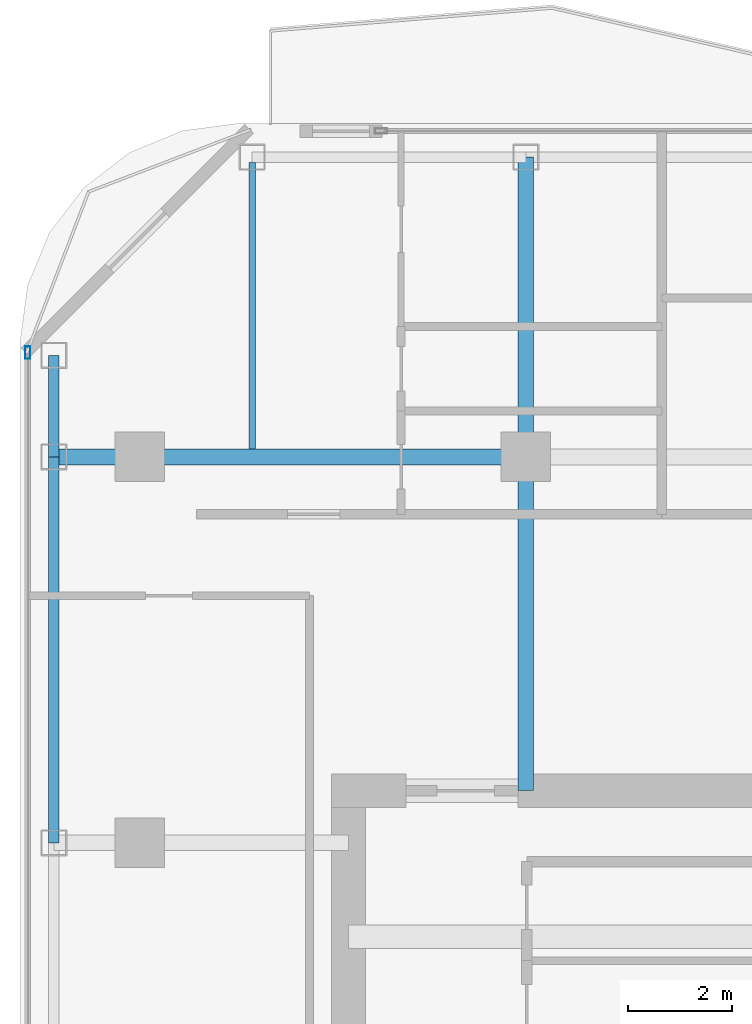
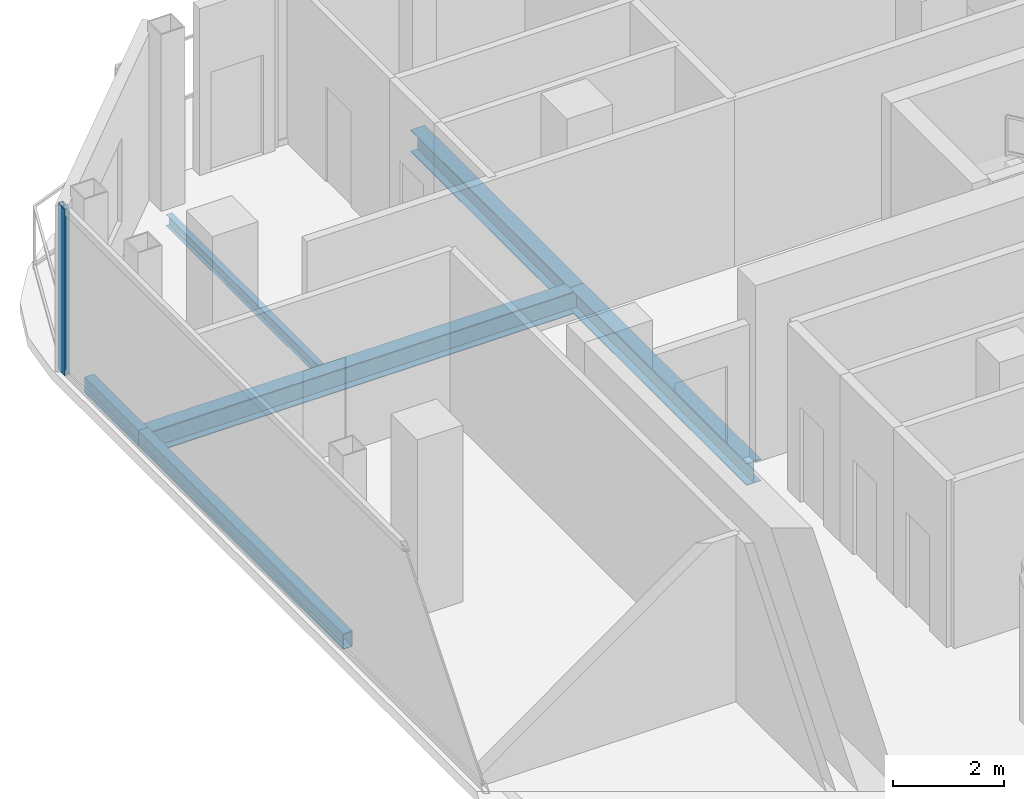
# One storey, part 10 of 23: 6 beams, 1 member, 1 element without a shape of its own.
"""IFC4 building model written with IfcOpenShell, lengths in metres."""

import ifcopenshell
import ifcopenshell.guid

model = None  # the IFC model being written
_history = None  # IfcOwnerHistory: only IFC2X3 demands one
_inside = {}  # id of a spatial element -> (the spatial element, [elements in it])
_under = {}  # id of a project, library or spatial element -> (it, [spatial elements below it])
_declared = {}  # id of a project -> (the project, [libraries it declares])
_typed = {}  # id of a type object -> (the type object, [elements of that type])
_made_of = {}  # id of a material, layer set ... -> (it, [elements and type objects made of it])


def new_model(schema):
    """Start an empty IFC model of exactly this schema.

    Asked for "IFC4X3", IfcOpenShell would pick the latest addendum, in which some entities
    have other attributes; the version numbers below select the first issue.
    IFC2X3 requires an IfcOwnerHistory on every rooted entity: one is made here for all.
    """
    global model, _history
    if schema == "IFC4X3":
        model = ifcopenshell.file(schema_version=(4, 3, 0, 0))
    else:
        model = ifcopenshell.file(schema=schema)
    _inside.clear()
    _under.clear()
    _declared.clear()
    _typed.clear()
    _made_of.clear()
    _history = None
    if model.schema == "IFC2X3":
        org = make("IfcOrganization", Name="unknown")
        user = make(
            "IfcPersonAndOrganization",
            ThePerson=make("IfcPerson", FamilyName="unknown"),
            TheOrganization=org,
        )
        app = make(
            "IfcApplication",
            ApplicationDeveloper=org,
            Version="unknown",
            ApplicationFullName="unknown",
            ApplicationIdentifier="unknown",
        )
        _history = make(
            "IfcOwnerHistory",
            OwningUser=user,
            OwningApplication=app,
            ChangeAction="ADDED",
            CreationDate=0,
        )
    return model


def make(cls, **values):
    """One entity of the class cls with the attributes given. An attribute that is None is left unset."""
    return model.create_entity(
        cls, **{name: value for name, value in values.items() if value is not None}
    )


def rooted(cls, **values):
    """An entity with a GlobalId (a new one), such as an element, a storey or a relation."""
    return make(cls, GlobalId=ifcopenshell.guid.new(), OwnerHistory=_history, **values)


def si_unit(unit_type, name, prefix=None):
    """IfcSIUnit, for example si_unit("LENGTHUNIT", "METRE", prefix="MILLI")."""
    return make("IfcSIUnit", UnitType=unit_type, Prefix=prefix, Name=name)


def assignment(units):
    """IfcUnitAssignment: the units of a project."""
    return None if units is None else make("IfcUnitAssignment", Units=units)


def point(xyz):
    """IfcCartesianPoint."""
    return None if xyz is None else make("IfcCartesianPoint", Coordinates=xyz)


def direction(xyz):
    """IfcDirection."""
    return None if xyz is None else make("IfcDirection", DirectionRatios=xyz)


def frame(location, z_axis=None, x_axis=None):
    """IfcAxis2Placement3D, a coordinate frame: its origin and axes. An axis left out is left unset."""
    return make(
        "IfcAxis2Placement3D",
        Location=point(location),
        Axis=direction(z_axis),
        RefDirection=direction(x_axis),
    )


def frame_2d(location, x_axis=None):
    """IfcAxis2Placement2D, a coordinate frame in the plane: its origin and x axis."""
    return make(
        "IfcAxis2Placement2D", Location=point(location), RefDirection=direction(x_axis)
    )


def origin():
    """The frame at (0, 0, 0) with its axes left unset."""
    return frame((0.0, 0.0, 0.0))


def origin_2d():
    """The frame at (0, 0) in the plane with its x axis left unset."""
    return frame_2d((0.0, 0.0))


def place(relative_to, where):
    """IfcLocalPlacement: puts the frame where relative to a parent placement (None: the world)."""
    return make(
        "IfcLocalPlacement", PlacementRelTo=relative_to, RelativePlacement=where
    )


def context(
    kind, dimensions, precision=None, world=None, true_north=None, identifier=None
):
    """IfcGeometricRepresentationContext, for example the 3D "Model" context."""
    return make(
        "IfcGeometricRepresentationContext",
        ContextIdentifier=identifier,
        ContextType=kind,
        CoordinateSpaceDimension=dimensions,
        Precision=precision,
        WorldCoordinateSystem=world,
        TrueNorth=true_north,
    )


def subcontext(parent, identifier, kind, view, scale=None):
    """IfcGeometricRepresentationSubContext, for example "Body" below "Model"."""
    return make(
        "IfcGeometricRepresentationSubContext",
        ContextIdentifier=identifier,
        ContextType=kind,
        ParentContext=parent,
        TargetScale=scale,
        TargetView=view,
    )


def project(units=None, contexts=None):
    """IfcProject with its units and contexts."""
    return rooted(
        "IfcProject",
        Name="project",
        RepresentationContexts=contexts,
        UnitsInContext=assignment(units),
    )


def spatial(cls, under=None, at=None, **own):
    """A site, building, storey or space (cls), placed at a placement, below another one or the project."""
    s = rooted(cls, ObjectPlacement=at, **own)
    if under is not None:
        _under.setdefault(under.id(), (under, []))[1].append(s)
    return s


def profile(cls, at=None, kind="AREA", **sizes):
    """A parametric profile (cls). Its sizes go by their IFC names, for example OverallWidth=200.0."""
    return make(cls, ProfileType=kind, Position=at, **sizes)


def hollow_rectangle(**sizes):
    """IfcRectangleHollowProfileDef."""
    return profile("IfcRectangleHollowProfileDef", **sizes)


def i_section(**sizes):
    """IfcIShapeProfileDef."""
    return profile("IfcIShapeProfileDef", **sizes)


def extrude(swept, where, along, depth):
    """IfcExtrudedAreaSolid: the profile swept, set in the frame where, extruded along a direction by depth."""
    return make(
        "IfcExtrudedAreaSolid",
        SweptArea=swept,
        Position=where,
        ExtrudedDirection=direction(along),
        Depth=depth,
    )


def shape(context_of_items, identifier, shape_type, items):
    """IfcShapeRepresentation: the items that make up one representation, for example the "Body"."""
    return make(
        "IfcShapeRepresentation",
        ContextOfItems=context_of_items,
        RepresentationIdentifier=identifier,
        RepresentationType=shape_type,
        Items=items,
    )


def material(Name=None, Category=None):
    """IfcMaterial."""
    return make("IfcMaterial", Name=Name, Category=Category)


def layer(
    of_material, thickness, ventilated=None, Name=None, Category=None, Priority=None
):
    """IfcMaterialLayer: one layer of a wall or slab, of a material (None: an air gap)."""
    return make(
        "IfcMaterialLayer",
        Material=of_material,
        LayerThickness=thickness,
        IsVentilated=ventilated,
        Name=Name,
        Category=Category,
        Priority=Priority,
    )


def layer_set(layers, Name=None):
    """IfcMaterialLayerSet."""
    return make("IfcMaterialLayerSet", MaterialLayers=layers, LayerSetName=Name)


def material_profile(
    of_material, cross_section, Name=None, Category=None, Priority=None
):
    """IfcMaterialProfile: a cross section and its material."""
    return make(
        "IfcMaterialProfile",
        Name=Name,
        Material=of_material,
        Profile=cross_section,
        Priority=Priority,
        Category=Category,
    )


def profile_set(profiles, Name=None, composite=None):
    """IfcMaterialProfileSet."""
    return make(
        "IfcMaterialProfileSet",
        Name=Name,
        MaterialProfiles=profiles,
        CompositeProfile=composite,
    )


def made_of(thing, what):
    """Note that an element or type object is made of a material, layer set ...; save() writes the relation."""
    if what is not None:
        _made_of.setdefault(what.id(), (what, []))[1].append(thing)
    return thing


def type_object(cls, material=None, **own):
    """A type object (cls), such as IfcWallType, which elements share."""
    return made_of(rooted(cls, **own), material)


def element(
    cls,
    number,
    at=None,
    inside=None,
    cuts=None,
    type_object=None,
    material=None,
    context=None,
    identifier="Body",
    shape_type=None,
    held_by="IfcProductDefinitionShape",
    body=None,
    shapes=None,
    **own,
):
    """One element of the class cls, such as IfcWall. Its Tag is "e" and its number.

    at: its placement. inside: the storey or other place that contains it. cuts: it is an
    opening in that element (IfcRelVoidsElement). A single representation is given by context,
    identifier, shape_type and body (its items); several are given by shapes. held_by: the class
    of the entity that holds the representations. save() writes the other relations.
    """
    e = rooted(cls, Tag="e%d" % number, ObjectPlacement=at, **own)
    if body is not None:
        shapes = [shape(context, identifier, shape_type, body)]
    if shapes is not None:
        e.Representation = make(held_by, Representations=shapes)
    if inside is not None:
        _inside.setdefault(inside.id(), (inside, []))[1].append(e)
    if cuts is not None:
        rooted(
            "IfcRelVoidsElement", RelatingBuildingElement=cuts, RelatedOpeningElement=e
        )
    if type_object is not None:
        _typed.setdefault(type_object.id(), (type_object, []))[1].append(e)
    return made_of(e, material)


def aggregate(whole, parts):
    """IfcRelAggregates: a whole, such as a stair, and the parts it consists of."""
    return rooted("IfcRelAggregates", RelatingObject=whole, RelatedObjects=parts)


def save(model, path):
    """Write the relations noted so far, then the file.

    IfcRelAggregates (storeys below a building ...), IfcRelContainedInSpatialStructure (elements
    in a storey), IfcRelDefinesByType, IfcRelAssociatesMaterial and IfcRelDeclares: one each for
    every whole, place, type object, material and project.
    """
    for whole, parts in _under.values():
        aggregate(whole, parts)
    for where, things in _inside.values():
        rooted(
            "IfcRelContainedInSpatialStructure",
            RelatedElements=things,
            RelatingStructure=where,
        )
    for kind, things in _typed.values():
        rooted("IfcRelDefinesByType", RelatedObjects=things, RelatingType=kind)
    for what, things in _made_of.values():
        rooted("IfcRelAssociatesMaterial", RelatedObjects=things, RelatingMaterial=what)
    for by, libraries in _declared.values():
        rooted("IfcRelDeclares", RelatingContext=by, RelatedDefinitions=libraries)
    model.write(path)


model = new_model("IFC4")

# Units and contexts
model_context = context("Model", 3, precision=1e-05, world=origin(), true_north=direction((0.0, 1.0)))
body_context = subcontext(model_context, "Body", "Model", "MODEL_VIEW")
ifc_project = project(units=[si_unit("LENGTHUNIT", "METRE"), si_unit("AREAUNIT", "SQUARE_METRE"), si_unit("VOLUMEUNIT", "CUBIC_METRE"), si_unit("PLANEANGLEUNIT", "RADIAN"), si_unit("MASSUNIT", "GRAM", prefix="KILO")], contexts=[model_context])

# Site, building, storey
site_placement = place(None, origin())
site = spatial("IfcSite", under=ifc_project, at=site_placement, CompositionType="ELEMENT")
building_placement = place(site_placement, origin())
building = spatial("IfcBuilding", under=site, at=building_placement, Name="Khorvyn Point Tower", CompositionType="ELEMENT")
storey_placement = place(building_placement, frame((0.0, 0.0, 258.60009765625)))
storey = spatial("IfcBuildingStorey", under=building, at=storey_placement, Name="L63", CompositionType="ELEMENT", Elevation=258.60009765625)

# Curtain wall, member
ifc_material_1 = material(Name="Anodised aluminium 6063-T6 and laminated Low-E glass", Category="aluminium")
ifc_layer = layer(ifc_material_1, 0.18994140625)
ifc_layer_set = layer_set([ifc_layer], Name="Stick-Built High-Wind Curtain Wall CW-SYS-04")
curtain_wall_type = type_object("IfcCurtainWallType", Name="Stick-Built High-Wind Curtain Wall CW-SYS-04", PredefinedType="NOTDEFINED", material=ifc_layer_set)
curtain_wall_placement = place(storey_placement, origin())
curtain_wall = element("IfcCurtainWall", 1, at=curtain_wall_placement, inside=storey, type_object=curtain_wall_type, Name="Curtain Wall", PredefinedType="NOTDEFINED")
ifc_material_2 = material(Name="Anodised aluminium 6063-T6", Category="aluminium")
ifc_material_profile_1 = material_profile(ifc_material_2, hollow_rectangle(XDim=0.10009765625, YDim=0.239990234375, WallThickness=0.0048828125, at=origin_2d()))
ifc_profile_set_1 = profile_set([ifc_material_profile_1], Name="Anodised aluminium 6063-T6 ALU-MUL-100x240")
member_type = type_object("IfcMemberType", Name="Anodised Aluminium 6063-T6 Mullion ALU-MUL-100x240", PredefinedType="MULLION", material=ifc_profile_set_1)
member_placement = place(storey_placement, frame((-16.949951171875, 16.800048828125, 0.0), z_axis=(0.0, 0.0, 1.0), x_axis=(-1.0, 0.0, 0.0)))
member = element("IfcMember", 2, at=member_placement, type_object=member_type, Name="Transom", PredefinedType="MULLION", context=body_context, shape_type="SweptSolid", body=[
    extrude(hollow_rectangle(XDim=0.10009765625, YDim=0.239990234375, WallThickness=0.0048828125, at=origin_2d()), origin(), (0.0, 0.0, 1.0), 3.679931640625),
])
aggregate(curtain_wall, [member])

# Beams
ifc_material_3 = material(Name="Steel S355", Category="steel")
ifc_material_profile_2 = material_profile(ifc_material_3, i_section(OverallWidth=0.125, OverallDepth=0.25, WebThickness=0.006103515625, FlangeThickness=0.009033203125, at=origin_2d()))
ifc_profile_set_2 = profile_set([ifc_material_profile_2], Name="Steel S355 H250x125x6x9")
beam_type_1 = type_object("IfcBeamType", Name="Steel S355 Joist H250x125x6x9", PredefinedType="JOIST", material=ifc_profile_set_2)
beam_1_placement = place(storey_placement, frame((-12.64990234375, 14.949951171875, -0.34521484375), z_axis=(0.0, 1.0, 0.0), x_axis=(-1.0, 0.0, 0.0)))
element("IfcBeam", 3, at=beam_1_placement, inside=storey, type_object=beam_type_1, Name="Beam", PredefinedType="JOIST", context=body_context, shape_type="SweptSolid", body=[
    extrude(i_section(OverallWidth=0.125, OverallDepth=0.25, WebThickness=0.006103515625, FlangeThickness=0.009033203125, at=origin_2d()), origin(), (0.0, 0.0, 1.0), 5.5),
])
ifc_material_profile_3 = material_profile(ifc_material_3, i_section(OverallWidth=0.300048828125, OverallDepth=0.488037109375, WebThickness=0.010986328125, FlangeThickness=0.01806640625, at=origin_2d()))
ifc_profile_set_3 = profile_set([ifc_material_profile_3], Name="Steel S355 H488x300x11x18")
beam_type_2 = type_object("IfcBeamType", Name="Steel S355 Spandrel H488x300x11x18", PredefinedType="SPANDREL", material=ifc_profile_set_3)
beam_2_placement = place(storey_placement, frame((-16.449951171875, 14.800048828125, -0.464111328125), z_axis=(1.0, 0.0, 0.0), x_axis=(0.0, 1.0, 0.0)))
element("IfcBeam", 4, at=beam_2_placement, inside=storey, type_object=beam_type_2, Name="Beam", PredefinedType="SPANDREL", context=body_context, shape_type="SweptSolid", body=[
    extrude(i_section(OverallWidth=0.300048828125, OverallDepth=0.488037109375, WebThickness=0.010986328125, FlangeThickness=0.01806640625, at=origin_2d()), origin(), (0.0, 0.0, 1.0), 9.050048828125),
])
beam_3_placement = place(storey_placement, frame((-7.39990234375, 8.39990234375, -0.464111328125), z_axis=(0.0, 1.0, 0.0), x_axis=(-1.0, 0.0, 0.0)))
element("IfcBeam", 5, at=beam_3_placement, inside=storey, type_object=beam_type_2, Name="Beam", PredefinedType="SPANDREL", context=body_context, shape_type="SweptSolid", body=[
    extrude(i_section(OverallWidth=0.300048828125, OverallDepth=0.488037109375, WebThickness=0.010986328125, FlangeThickness=0.01806640625, at=origin_2d()), origin(), (0.0, 0.0, 1.0), 6.400146484375),
])
beam_4_placement = place(storey_placement, frame((-7.39990234375, 14.800048828125, -0.464111328125), z_axis=(0.0, 1.0, 0.0), x_axis=(-1.0, 0.0, 0.0)))
element("IfcBeam", 6, at=beam_4_placement, inside=storey, type_object=beam_type_2, Name="Beam", PredefinedType="SPANDREL", context=body_context, shape_type="SweptSolid", body=[
    extrude(i_section(OverallWidth=0.300048828125, OverallDepth=0.488037109375, WebThickness=0.010986328125, FlangeThickness=0.01806640625, at=origin_2d()), origin(), (0.0, 0.0, 1.0), 5.75),
])
ifc_material_profile_4 = material_profile(ifc_material_3, hollow_rectangle(XDim=0.199951171875, YDim=0.35009765625, WallThickness=0.013916015625, at=origin_2d()))
ifc_profile_set_4 = profile_set([ifc_material_profile_4], Name="Steel S355 RHS350x200x14")
beam_type_3 = type_object("IfcBeamType", Name="Steel S355 Spandrel RHS350x200x14", PredefinedType="SPANDREL", material=ifc_profile_set_4)
beam_5_placement = place(storey_placement, frame((-16.449951171875, 7.39990234375, -0.39501953125), z_axis=(0.0, 1.0, 0.0), x_axis=(-1.0, 0.0, 0.0)))
element("IfcBeam", 7, at=beam_5_placement, inside=storey, type_object=beam_type_3, Name="Beam", PredefinedType="SPANDREL", context=body_context, shape_type="SweptSolid", body=[
    extrude(hollow_rectangle(XDim=0.199951171875, YDim=0.35009765625, WallThickness=0.013916015625, at=origin_2d()), origin(), (0.0, 0.0, 1.0), 7.400146484375),
])
beam_6_placement = place(storey_placement, frame((-16.449951171875, 14.800048828125, -0.39501953125), z_axis=(0.0, 1.0, 0.0), x_axis=(-1.0, 0.0, 0.0)))
element("IfcBeam", 8, at=beam_6_placement, inside=storey, type_object=beam_type_3, Name="Beam", PredefinedType="SPANDREL", context=body_context, shape_type="SweptSolid", body=[
    extrude(hollow_rectangle(XDim=0.199951171875, YDim=0.35009765625, WallThickness=0.013916015625, at=origin_2d()), origin(), (0.0, 0.0, 1.0), 1.949951171875),
])

save(model, "model.ifc")
